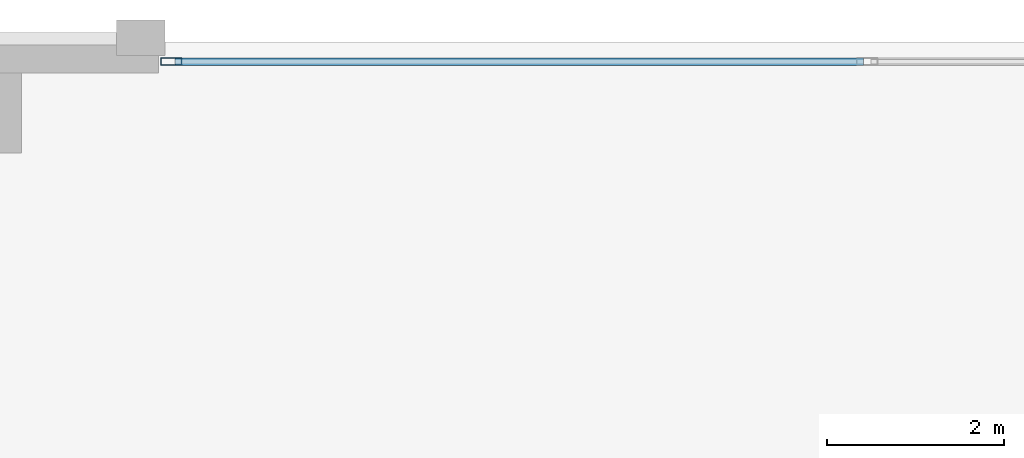
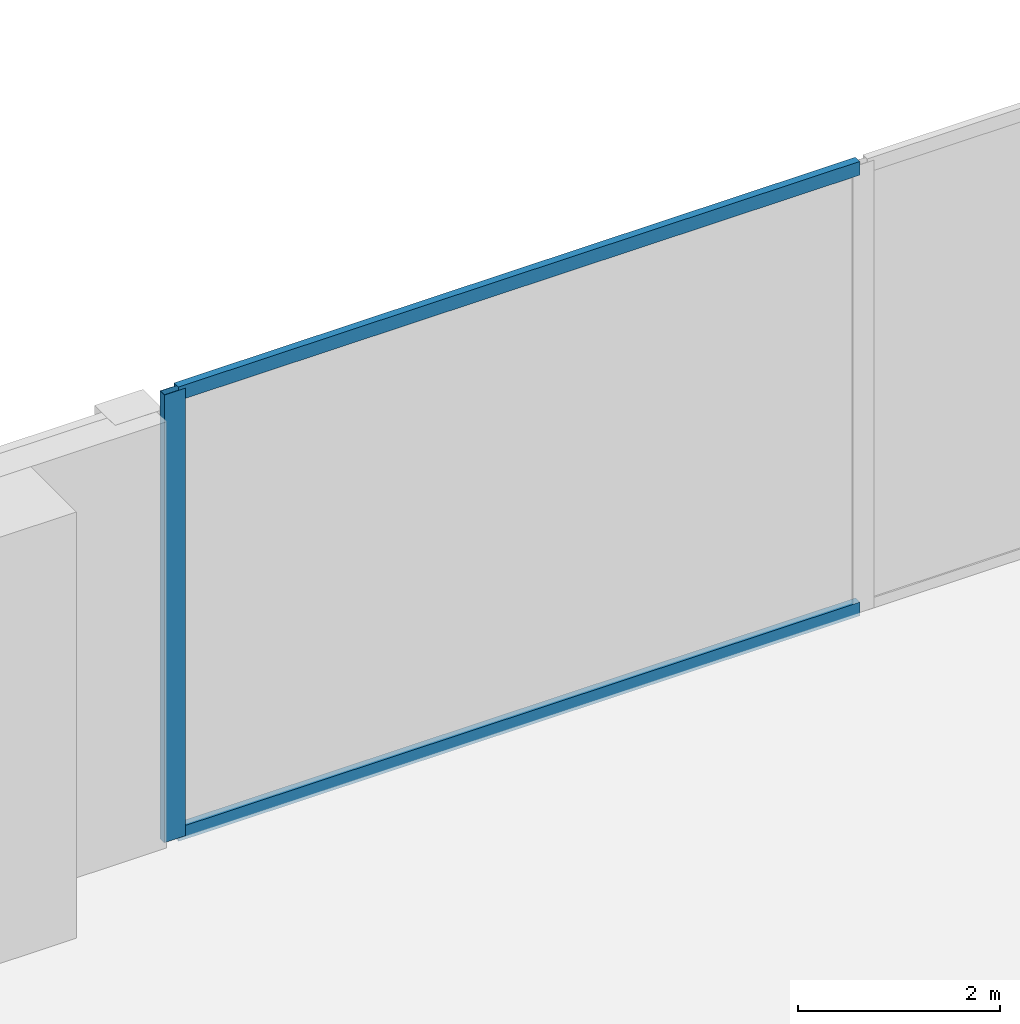
# One storey, part 25 of 48: 3 members, 1 element without a shape of its own.
"""IFC4 building model written with IfcOpenShell, lengths in metres."""

from ifc_helpers import new_model, si_unit, direction, frame, origin, origin_2d, place, context, subcontext, project, spatial, hollow_rectangle, extrude, material, material_profile, profile_set, type_object, element, aggregate, save


model = new_model("IFC4")

# Units and contexts
model_context = context("Model", 3, precision=1e-05, world=origin(), true_north=direction((0.0, 1.0)))
body_context = subcontext(model_context, "Body", "Model", "MODEL_VIEW")
ifc_project = project(units=[si_unit("LENGTHUNIT", "METRE"), si_unit("AREAUNIT", "SQUARE_METRE"), si_unit("VOLUMEUNIT", "CUBIC_METRE"), si_unit("PLANEANGLEUNIT", "RADIAN"), si_unit("MASSUNIT", "GRAM", prefix="KILO")], contexts=[model_context])

# Site, building, storey
site_placement = place(None, origin())
site = spatial("IfcSite", under=ifc_project, at=site_placement, CompositionType="ELEMENT")
building_placement = place(site_placement, origin())
building = spatial("IfcBuilding", under=site, at=building_placement, Name="Tashvorn Skyway Center", CompositionType="ELEMENT")
storey_placement = place(building_placement, frame((0.0, 0.0, 10.199951171875)))
storey = spatial("IfcBuildingStorey", under=building, at=storey_placement, Name="L02", CompositionType="ELEMENT", Elevation=10.199951171875)

# Curtain wall, members
ifc_material = material(Name="Thermally broken bronze-anodized aluminium 6063-T6", Category="aluminium")
curtain_wall_type = type_object("IfcCurtainWallType", Name="CW-CW-Z1", PredefinedType="NOTDEFINED", material=ifc_material)
curtain_wall_placement = place(storey_placement, origin())
curtain_wall = element("IfcCurtainWall", 1, at=curtain_wall_placement, inside=storey, type_object=curtain_wall_type, Name="L02 North Station Arcade Curtain Wall 3", PredefinedType="NOTDEFINED")
ifc_material_profile_1 = material_profile(ifc_material, hollow_rectangle(XDim=0.0849609375, YDim=0.239990234375, WallThickness=0.0048828125, at=origin_2d()), Name="ALU-MULL-85x240")
ifc_profile_set_1 = profile_set([ifc_material_profile_1], Name="Thermally broken bronze-anodized aluminium 6063-T6")
member_type_1 = type_object("IfcMemberType", Name="CWM-CW-Z1", PredefinedType="MULLION", material=ifc_profile_set_1)
member_1_placement = place(storey_placement, frame((106.142578125, 63.780029296875, 0.0), z_axis=(0.0, 0.0, 1.0), x_axis=(0.0, 1.0, 0.0)))
member_1 = element("IfcMember", 2, at=member_1_placement, type_object=member_type_1, Name="CW-Z1 mullion 1", PredefinedType="MULLION", context=body_context, shape_type="SweptSolid", body=[
    extrude(hollow_rectangle(XDim=0.0849609375, YDim=0.239990234375, WallThickness=0.0048828125, at=origin_2d()), origin(), (0.0, 0.0, 1.0), 5.400146484375),
])
ifc_material_profile_2 = material_profile(ifc_material, hollow_rectangle(XDim=0.0849609375, YDim=0.1650390625, WallThickness=0.0048828125, at=origin_2d()), Name="ALU-TRAN-85x165")
ifc_profile_set_2 = profile_set([ifc_material_profile_2], Name="Thermally broken bronze-anodized aluminium 6063-T6")
member_type_2 = type_object("IfcMemberType", Name="CWT-CW-Z1", PredefinedType="USERDEFINED", material=ifc_profile_set_2)
member_2_placement = place(storey_placement, frame((106.18505859375, 63.780029296875, 0.04248046875), z_axis=(1.0, 0.0, 0.0), x_axis=(0.0, 1.0, 0.0)))
member_2 = element("IfcMember", 3, at=member_2_placement, type_object=member_type_2, Name="CW-Z1 transom 1.1", ObjectType="TRANSOM", PredefinedType="USERDEFINED", context=body_context, shape_type="SweptSolid", body=[
    extrude(hollow_rectangle(XDim=0.0849609375, YDim=0.1650390625, WallThickness=0.0048828125, at=origin_2d()), origin(), (0.0, 0.0, 1.0), 7.7724609375),
])
member_3_placement = place(storey_placement, frame((106.18505859375, 63.780029296875, 5.357666015625), z_axis=(1.0, 0.0, 0.0), x_axis=(0.0, 1.0, 0.0)))
member_3 = element("IfcMember", 4, at=member_3_placement, type_object=member_type_2, Name="CW-Z1 transom 1.2", ObjectType="TRANSOM", PredefinedType="USERDEFINED", context=body_context, shape_type="SweptSolid", body=[
    extrude(hollow_rectangle(XDim=0.0849609375, YDim=0.1650390625, WallThickness=0.0048828125, at=origin_2d()), origin(), (0.0, 0.0, 1.0), 7.7724609375),
])
aggregate(curtain_wall, [member_1, member_2, member_3])

save(model, "model.ifc")
